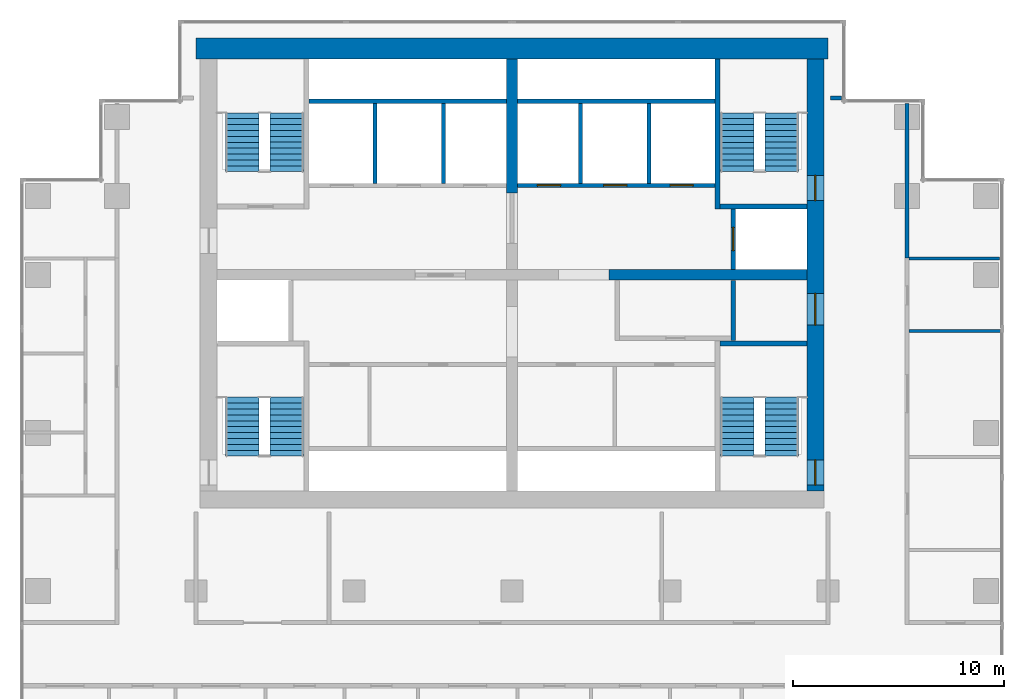
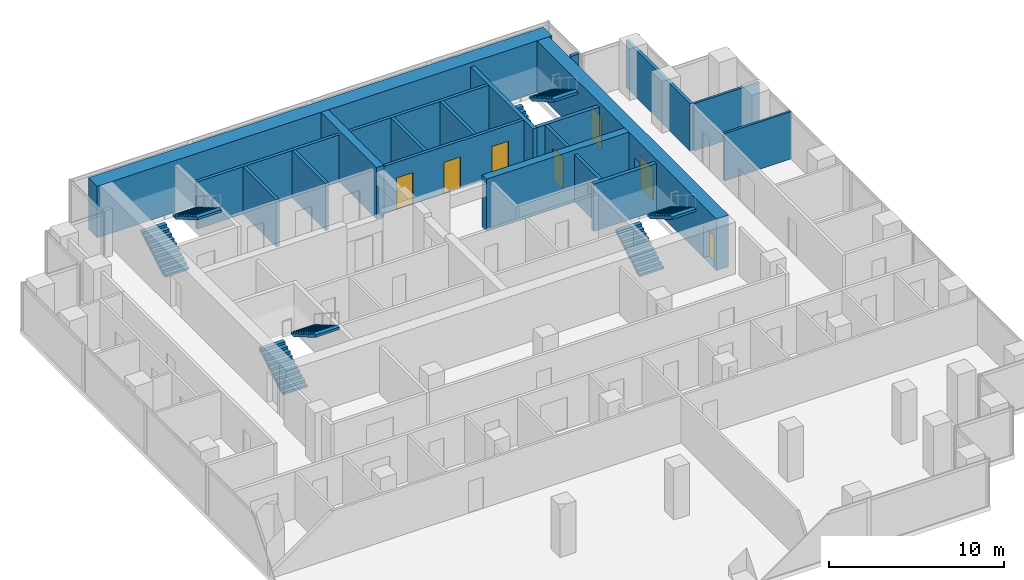
# One storey, part 9 of 10: 20 walls, 8 stair flights, 7 doors, 7 openings, 4 elements without a shape of their own.
"""IFC4 building model written with IfcOpenShell, lengths in metres."""

from ifc_helpers import new_model, si_unit, direction, frame, frame_2d, origin, place, context, subcontext, project, spatial, polyline, rectangle, outline, extrude, material, layer, layer_set, type_object, element, fill, aggregate, save


model = new_model("IFC4")

# Units and contexts
model_context = context("Model", 3, precision=1e-05, world=origin(), true_north=direction((0.0, 1.0)))
body_context = subcontext(model_context, "Body", "Model", "MODEL_VIEW")
ifc_project = project(units=[si_unit("LENGTHUNIT", "METRE"), si_unit("AREAUNIT", "SQUARE_METRE"), si_unit("VOLUMEUNIT", "CUBIC_METRE"), si_unit("PLANEANGLEUNIT", "RADIAN"), si_unit("MASSUNIT", "GRAM", prefix="KILO")], contexts=[model_context])

# Site, building, storey
site_placement = place(None, origin())
site = spatial("IfcSite", under=ifc_project, at=site_placement, CompositionType="ELEMENT")
building_placement = place(site_placement, origin())
building = spatial("IfcBuilding", under=site, at=building_placement, Name="Pilkhan Gate Tower", CompositionType="ELEMENT")
storey_placement = place(building_placement, frame((0.0, 0.0, 169.300048828125)))
storey = spatial("IfcBuildingStorey", under=building, at=storey_placement, Name="L43", CompositionType="ELEMENT", Elevation=169.300048828125)

# Wall
ifc_material_1 = material(Name="Concrete C60/75", Category="concrete")
ifc_layer_1 = layer(ifc_material_1, 1.0)
ifc_layer_set_1 = layer_set([ifc_layer_1], Name="Core wall CW1000 C60/75")
wall_type_1 = type_object("IfcWallType", Name="Core wall CW1000 C60/75", PredefinedType="SHEAR", material=ifc_layer_set_1)
wall_1_placement = place(storey_placement, frame((90.0, 93.25, 0.0), z_axis=(0.0, 0.0, 1.0), x_axis=(-1.0, 0.0, 0.0)))
element("IfcWall", 1, at=wall_1_placement, inside=storey, type_object=wall_type_1, Name="Core wall N L43", PredefinedType="SHEAR", context=body_context, shape_type="SweptSolid", body=[
    extrude(rectangle(XDim=30.0, YDim=1.0, at=frame_2d((15.0, 0.0))), origin(), (0.0, 0.0, 1.0), 3.599853515625),
])

# Wall, openings, doors
ifc_layer_2 = layer(ifc_material_1, 0.800048828125)
ifc_layer_set_2 = layer_set([ifc_layer_2], Name="Core wall CW800 C60/75")
wall_type_2 = type_object("IfcWallType", Name="Core wall CW800 C60/75", PredefinedType="SHEAR", material=ifc_layer_set_2)
wall_2_placement = place(storey_placement, frame((89.39990234375, 72.25, 0.0), z_axis=(0.0, 0.0, 1.0), x_axis=(0.0, 1.0, 0.0)))
wall_2 = element("IfcWall", 2, at=wall_2_placement, inside=storey, type_object=wall_type_2, Name="Core wall E L43", PredefinedType="SHEAR", context=body_context, shape_type="SweptSolid", body=[
    extrude(rectangle(XDim=20.5, YDim=0.800048828125, at=frame_2d((10.25, 0.0))), origin(), (0.0, 0.0, 1.0), 3.599853515625),
])
opening_1_placement = place(wall_2_placement, frame((0.27490234375, 0.0, 0.0)))
opening_1 = element("IfcOpeningElement", 3, at=opening_1_placement, cuts=wall_2, Name="Opening L43-03", PredefinedType="OPENING", context=body_context, shape_type="SweptSolid", body=[
    extrude(rectangle(XDim=1.199951171875, YDim=2.199951171875, at=frame_2d((0.60009765625, 1.10009765625))), frame((0.0, 0.409912109375, 0.0), z_axis=(0.0, -1.0, 0.0), x_axis=(1.0, 0.0, 0.0)), (0.0, 0.0, 1.0), 0.820068359375),
])
opening_2_placement = place(wall_2_placement, frame((13.77490234375, 0.0, 0.0)))
opening_2 = element("IfcOpeningElement", 4, at=opening_2_placement, cuts=wall_2, Name="Opening L43-05", PredefinedType="OPENING", context=body_context, shape_type="SweptSolid", body=[
    extrude(rectangle(XDim=1.199951171875, YDim=2.199951171875, at=frame_2d((0.60009765625, 1.10009765625))), frame((0.0, 0.409912109375, 0.0), z_axis=(0.0, -1.0, 0.0), x_axis=(1.0, 0.0, 0.0)), (0.0, 0.0, 1.0), 0.820068359375),
])
opening_3_placement = place(wall_2_placement, frame((7.875, 0.0, 0.0)))
opening_3 = element("IfcOpeningElement", 5, at=opening_3_placement, cuts=wall_2, Name="Opening L43-11", PredefinedType="OPENING", context=body_context, shape_type="SweptSolid", body=[
    extrude(rectangle(XDim=1.5, YDim=2.199951171875, at=frame_2d((0.75, 1.10009765625))), frame((0.0, 0.409912109375, 0.0), z_axis=(0.0, -1.0, 0.0), x_axis=(1.0, 0.0, 0.0)), (0.0, 0.0, 1.0), 0.820068359375),
])
ifc_material_2 = material(Name="Steel framed glazed door, 60 minute fire resisting", Category="steel")
door_type_1 = type_object("IfcDoorType", Name="Lobby door D09 1500x2200", OperationType="DOUBLE_DOOR_SINGLE_SWING", PredefinedType="DOOR", material=ifc_material_2)
door_1_placement = place(opening_3_placement, origin())
door_1 = element("IfcDoor", 6, at=door_1_placement, inside=storey, type_object=door_type_1, Name="Core door", OperationType="DOUBLE_DOOR_SINGLE_SWING", OverallHeight=2.199951171875, OverallWidth=1.5, PredefinedType="DOOR", context=body_context, shape_type="SweptSolid", body=[
    extrude(rectangle(XDim=1.5, YDim=2.199951171875, at=frame_2d((0.75, 1.10009765625))), frame((0.0, 0.02490234375, 0.0), z_axis=(0.0, -1.0, 0.0), x_axis=(1.0, 0.0, 0.0)), (0.0, 0.0, 1.0), 0.050048828125),
])
fill(opening_3, door_1)
ifc_material_3 = material(Name="Steel door, 120 minute fire resisting, panic bar", Category="steel")
door_type_2 = type_object("IfcDoorType", Name="Stair door D11 1200x2200", OperationType="SINGLE_SWING_LEFT", PredefinedType="DOOR", material=ifc_material_3)
door_2_placement = place(opening_1_placement, origin())
door_2 = element("IfcDoor", 7, at=door_2_placement, inside=storey, type_object=door_type_2, Name="Stair ST1 door", OperationType="SINGLE_SWING_LEFT", OverallHeight=2.199951171875, OverallWidth=1.199951171875, PredefinedType="DOOR", context=body_context, shape_type="SweptSolid", body=[
    extrude(rectangle(XDim=1.199951171875, YDim=2.199951171875, at=frame_2d((0.60009765625, 1.10009765625))), frame((0.0, 0.02490234375, 0.0), z_axis=(0.0, -1.0, 0.0), x_axis=(1.0, 0.0, 0.0)), (0.0, 0.0, 1.0), 0.050048828125),
])
fill(opening_1, door_2)
door_3_placement = place(opening_2_placement, origin())
door_3 = element("IfcDoor", 8, at=door_3_placement, inside=storey, type_object=door_type_2, Name="Stair ST4 door", OperationType="SINGLE_SWING_LEFT", OverallHeight=2.199951171875, OverallWidth=1.199951171875, PredefinedType="DOOR", context=body_context, shape_type="SweptSolid", body=[
    extrude(rectangle(XDim=1.199951171875, YDim=2.199951171875, at=frame_2d((0.60009765625, 1.10009765625))), frame((0.0, 0.02490234375, 0.0), z_axis=(0.0, -1.0, 0.0), x_axis=(1.0, 0.0, 0.0)), (0.0, 0.0, 1.0), 0.050048828125),
])
fill(opening_2, door_3)

# Walls
ifc_material_4 = material(Name="Dense blockwork", Category="masonry")
ifc_layer_3 = layer(ifc_material_4, 0.199951171875)
ifc_layer_set_3 = layer_set([ifc_layer_3], Name="Corridor wall FW200")
wall_type_3 = type_object("IfcWallType", Name="Corridor wall FW200", PredefinedType="PARTITIONING", material=ifc_layer_set_3)
wall_3_placement = place(storey_placement, frame((90.1201171875, 90.89990234375, 0.0), z_axis=(0.0, 0.0, 1.0), x_axis=(1.0, 0.0, 0.0)))
element("IfcWall", 9, at=wall_3_placement, inside=storey, type_object=wall_type_3, Name="Partition L43", PredefinedType="PARTITIONING", context=body_context, shape_type="SweptSolid", body=[
    extrude(rectangle(XDim=0.52490234375, YDim=0.199951171875, at=frame_2d((0.262451171875, 0.0))), origin(), (0.0, 0.0, 1.0), 3.300048828125),
])
wall_4_placement = place(storey_placement, frame((93.75, 83.31005859375, 0.0), z_axis=(0.0, 0.0, 1.0), x_axis=(0.0, 1.0, 0.0)))
element("IfcWall", 10, at=wall_4_placement, inside=storey, type_object=wall_type_3, Name="Partition L43", PredefinedType="PARTITIONING", context=body_context, shape_type="SweptSolid", body=[
    extrude(rectangle(XDim=7.3349609375, YDim=0.199951171875, at=frame_2d((3.66748046875, 0.0))), origin(), (0.0, 0.0, 1.0), 3.300048828125),
])
ifc_layer_4 = layer(ifc_material_4, 0.199951171875)
ifc_layer_set_4 = layer_set([ifc_layer_4], Name="Lobby wall LW200")
wall_type_4 = type_object("IfcWallType", Name="Lobby wall LW200", PredefinedType="PARTITIONING", material=ifc_layer_set_4)
wall_5_placement = place(storey_placement, frame((85.5, 79.39990234375, 0.0), z_axis=(0.0, 0.0, 1.0), x_axis=(0.0, 1.0, 0.0)))
element("IfcWall", 11, at=wall_5_placement, inside=storey, type_object=wall_type_4, Name="Partition L43", PredefinedType="PARTITIONING", context=body_context, shape_type="SweptSolid", body=[
    extrude(rectangle(XDim=2.840087890625, YDim=0.199951171875, at=frame_2d((1.419921875, 0.0))), origin(), (0.0, 0.0, 1.0), 3.300048828125),
])
ifc_material_5 = material(Name="Blockwork partition, plastered both sides", Category="masonry")
ifc_layer_5 = layer(ifc_material_5, 0.14990234375)
ifc_layer_set_5 = layer_set([ifc_layer_5], Name="Partition PW150")
wall_type_5 = type_object("IfcWallType", Name="Partition PW150", PredefinedType="PARTITIONING", material=ifc_layer_set_5)
wall_6_placement = place(storey_placement, frame((93.85009765625, 79.8330078125, 0.0), z_axis=(0.0, 0.0, 1.0), x_axis=(1.0, 0.0, 0.0)))
element("IfcWall", 12, at=wall_6_placement, inside=storey, type_object=wall_type_5, Name="Partition L43", PredefinedType="PARTITIONING", context=body_context, shape_type="SweptSolid", body=[
    extrude(rectangle(XDim=4.414794921875, YDim=0.14990234375, at=frame_2d((2.20751953125, 0.0))), origin(), (0.0, 0.0, 1.0), 3.300048828125),
])
wall_7_placement = place(storey_placement, frame((93.85009765625, 83.280029296875, 0.0), z_axis=(0.0, 0.0, 1.0), x_axis=(1.0, 0.0, 0.0)))
element("IfcWall", 13, at=wall_7_placement, inside=storey, type_object=wall_type_5, Name="Partition L43", PredefinedType="PARTITIONING", context=body_context, shape_type="SweptSolid", body=[
    extrude(rectangle(XDim=4.294921875, YDim=0.14990234375, at=frame_2d((2.1474609375, 0.0))), origin(), (0.0, 0.0, 1.0), 3.300048828125),
])

# Wall, openings, doors
ifc_material_6 = material(Name="Reinforced blockwork shaft wall, 120 minute fire resisting", Category="masonry")
ifc_layer_6 = layer(ifc_material_6, 0.199951171875)
ifc_layer_set_6 = layer_set([ifc_layer_6], Name="Shaft wall SW200")
wall_type_6 = type_object("IfcWallType", Name="Shaft wall SW200", PredefinedType="PARTITIONING", material=ifc_layer_set_6)
wall_8_placement = place(storey_placement, frame((75.260009765625, 86.75, 0.0), z_axis=(0.0, 0.0, 1.0), x_axis=(1.0, 0.0, 0.0)))
wall_8 = element("IfcWall", 14, at=wall_8_placement, inside=storey, type_object=wall_type_6, Name="Partition L43", PredefinedType="PARTITIONING", context=body_context, shape_type="SweptSolid", body=[
    extrude(rectangle(XDim=9.364990234375, YDim=0.199951171875, at=frame_2d((4.6826171875, 0.0))), origin(), (0.0, 0.0, 1.0), 3.300048828125),
])
opening_4_placement = place(wall_8_placement, frame((0.949951171875, 0.0, 0.0)))
opening_4 = element("IfcOpeningElement", 15, at=opening_4_placement, cuts=wall_8, Name="Opening LD", PredefinedType="OPENING", context=body_context, shape_type="SweptSolid", body=[
    extrude(rectangle(XDim=1.10009765625, YDim=2.199951171875, at=frame_2d((0.550048828125, 1.10009765625))), frame((0.0, 0.10986328125, 0.0), z_axis=(0.0, -1.0, 0.0), x_axis=(1.0, 0.0, 0.0)), (0.0, 0.0, 1.0), 0.219970703125),
])
opening_5_placement = place(wall_8_placement, frame((4.090087890625, 0.0, 0.0)))
opening_5 = element("IfcOpeningElement", 16, at=opening_5_placement, cuts=wall_8, Name="Opening LD", PredefinedType="OPENING", context=body_context, shape_type="SweptSolid", body=[
    extrude(rectangle(XDim=1.10009765625, YDim=2.199951171875, at=frame_2d((0.550048828125, 1.10009765625))), frame((0.0, 0.10986328125, 0.0), z_axis=(0.0, -1.0, 0.0), x_axis=(1.0, 0.0, 0.0)), (0.0, 0.0, 1.0), 0.219970703125),
])
opening_6_placement = place(wall_8_placement, frame((7.239990234375, 0.0, 0.0)))
opening_6 = element("IfcOpeningElement", 17, at=opening_6_placement, cuts=wall_8, Name="Opening LD", PredefinedType="OPENING", context=body_context, shape_type="SweptSolid", body=[
    extrude(rectangle(XDim=1.10009765625, YDim=2.199951171875, at=frame_2d((0.550048828125, 1.10009765625))), frame((0.0, 0.10986328125, 0.0), z_axis=(0.0, -1.0, 0.0), x_axis=(1.0, 0.0, 0.0)), (0.0, 0.0, 1.0), 0.219970703125),
])
ifc_material_7 = material(Name="Stainless steel centre-opening landing door, 120 minute fire resisting", Category="steel")
door_type_3 = type_object("IfcDoorType", Name="Lift landing door LD 1100x2200", OperationType="DOUBLE_DOOR_SLIDING", PredefinedType="DOOR", material=ifc_material_7)
door_4_placement = place(opening_4_placement, origin())
door_4 = element("IfcDoor", 18, at=door_4_placement, inside=storey, type_object=door_type_3, Name="Landing door HR1", OperationType="DOUBLE_DOOR_SLIDING", OverallHeight=2.199951171875, OverallWidth=1.10009765625, PredefinedType="DOOR", context=body_context, shape_type="SweptSolid", body=[
    extrude(rectangle(XDim=1.10009765625, YDim=2.199951171875, at=frame_2d((0.550048828125, 1.10009765625))), frame((0.0, 0.02490234375, 0.0), z_axis=(0.0, -1.0, 0.0), x_axis=(1.0, 0.0, 0.0)), (0.0, 0.0, 1.0), 0.050048828125),
])
fill(opening_4, door_4)
door_5_placement = place(opening_5_placement, origin())
door_5 = element("IfcDoor", 19, at=door_5_placement, inside=storey, type_object=door_type_3, Name="Landing door HR2", OperationType="DOUBLE_DOOR_SLIDING", OverallHeight=2.199951171875, OverallWidth=1.10009765625, PredefinedType="DOOR", context=body_context, shape_type="SweptSolid", body=[
    extrude(rectangle(XDim=1.10009765625, YDim=2.199951171875, at=frame_2d((0.550048828125, 1.10009765625))), frame((0.0, 0.02490234375, 0.0), z_axis=(0.0, -1.0, 0.0), x_axis=(1.0, 0.0, 0.0)), (0.0, 0.0, 1.0), 0.050048828125),
])
fill(opening_5, door_5)
door_6_placement = place(opening_6_placement, origin())
door_6 = element("IfcDoor", 20, at=door_6_placement, inside=storey, type_object=door_type_3, Name="Landing door HR3", OperationType="DOUBLE_DOOR_SLIDING", OverallHeight=2.199951171875, OverallWidth=1.10009765625, PredefinedType="DOOR", context=body_context, shape_type="SweptSolid", body=[
    extrude(rectangle(XDim=1.10009765625, YDim=2.199951171875, at=frame_2d((0.550048828125, 1.10009765625))), frame((0.0, 0.02490234375, 0.0), z_axis=(0.0, -1.0, 0.0), x_axis=(1.0, 0.0, 0.0)), (0.0, 0.0, 1.0), 0.050048828125),
])
fill(opening_6, door_6)

# Walls
for number, where, z_axis, x_axis, name in (
    (21, (65.375, 90.75, 0.0), (0.0, 0.0, 1.0), (1.0, 0.0, 0.0), "Partition L43"),
    (22, (75.260009765625, 90.75, 0.0), (0.0, 0.0, 1.0), (1.0, 0.0, 0.0), "Partition L43"),
):
    element("IfcWall", number, at=place(storey_placement, frame(where, z_axis=z_axis, x_axis=x_axis)), inside=storey, type_object=wall_type_6, Name=name, PredefinedType="PARTITIONING", context=body_context, shape_type="SweptSolid", body=[
        extrude(rectangle(XDim=9.364990234375, YDim=0.199951171875, at=frame_2d((4.6826171875, 0.0))), origin(), (0.0, 0.0, 1.0), 3.300048828125),
    ])
for number, where, z_axis, x_axis, name in (
    (23, (68.5, 86.85009765625, 0.0), (0.0, 0.0, 1.0), (0.0, 1.0, 0.0), "Partition L43"),
    (24, (71.75, 86.85009765625, 0.0), (0.0, 0.0, 1.0), (0.0, 1.0, 0.0), "Partition L43"),
    (25, (78.25, 86.85009765625, 0.0), (0.0, 0.0, 1.0), (0.0, 1.0, 0.0), "Partition L43"),
    (26, (81.5, 86.85009765625, 0.0), (0.0, 0.0, 1.0), (0.0, 1.0, 0.0), "Partition L43"),
):
    element("IfcWall", number, at=place(storey_placement, frame(where, z_axis=z_axis, x_axis=x_axis)), inside=storey, type_object=wall_type_6, Name=name, PredefinedType="PARTITIONING", context=body_context, shape_type="SweptSolid", body=[
        extrude(rectangle(XDim=3.7998046875, YDim=0.199951171875, at=frame_2d((1.89990234375, 0.0))), origin(), (0.0, 0.0, 1.0), 3.300048828125),
    ])

# Wall, opening, door
wall_9_placement = place(storey_placement, frame((85.5, 82.760009765625, 0.0), z_axis=(0.0, 0.0, 1.0), x_axis=(0.0, 1.0, 0.0)))
wall_9 = element("IfcWall", 27, at=wall_9_placement, inside=storey, type_object=wall_type_6, Name="Partition L43", PredefinedType="PARTITIONING", context=body_context, shape_type="SweptSolid", body=[
    extrude(rectangle(XDim=2.864990234375, YDim=0.199951171875, at=frame_2d((1.4326171875, 0.0))), origin(), (0.0, 0.0, 1.0), 3.300048828125),
])
opening_7_placement = place(wall_9_placement, frame((0.89990234375, 0.0, 0.0)))
opening_7 = element("IfcOpeningElement", 28, at=opening_7_placement, cuts=wall_9, Name="Opening LD", PredefinedType="OPENING", context=body_context, shape_type="SweptSolid", body=[
    extrude(rectangle(XDim=1.10009765625, YDim=2.199951171875, at=frame_2d((0.550048828125, 1.10009765625))), frame((0.0, 0.10986328125, 0.0), z_axis=(0.0, -1.0, 0.0), x_axis=(1.0, 0.0, 0.0)), (0.0, 0.0, 1.0), 0.219970703125),
])
door_7_placement = place(opening_7_placement, origin())
door_7 = element("IfcDoor", 29, at=door_7_placement, inside=storey, type_object=door_type_3, Name="Landing door HR4", OperationType="DOUBLE_DOOR_SLIDING", OverallHeight=2.199951171875, OverallWidth=1.10009765625, PredefinedType="DOOR", context=body_context, shape_type="SweptSolid", body=[
    extrude(rectangle(XDim=1.10009765625, YDim=2.199951171875, at=frame_2d((0.550048828125, 1.10009765625))), frame((0.0, 0.02490234375, 0.0), z_axis=(0.0, -1.0, 0.0), x_axis=(1.0, 0.0, 0.0)), (0.0, 0.0, 1.0), 0.050048828125),
])
fill(opening_7, door_7)

# Walls
ifc_layer_7 = layer(ifc_material_1, 0.5)
ifc_layer_set_7 = layer_set([ifc_layer_7], Name="Spine wall SW500 C60/75")
wall_type_7 = type_object("IfcWallType", Name="Spine wall SW500 C60/75", PredefinedType="SHEAR", material=ifc_layer_set_7)
wall_10_placement = place(storey_placement, frame((79.60009765625, 82.5, 0.0), z_axis=(0.0, 0.0, 1.0), x_axis=(1.0, 0.0, 0.0)))
element("IfcWall", 30, at=wall_10_placement, inside=storey, type_object=wall_type_7, Name="Spine wall SP-EW3 L43", PredefinedType="SHEAR", context=body_context, shape_type="SweptSolid", body=[
    extrude(rectangle(XDim=9.39990234375, YDim=0.5, at=frame_2d((4.699951171875, 0.0))), origin(), (0.0, 0.0, 1.0), 3.599853515625),
])
wall_11_placement = place(storey_placement, frame((75.0, 86.39990234375, 0.0), z_axis=(0.0, 0.0, 1.0), x_axis=(0.0, 1.0, 0.0)))
element("IfcWall", 31, at=wall_11_placement, inside=storey, type_object=wall_type_7, Name="Spine wall SP-NS-N2 L43", PredefinedType="SHEAR", context=body_context, shape_type="SweptSolid", body=[
    extrude(rectangle(XDim=6.35009765625, YDim=0.5, at=frame_2d((3.175048828125, 0.0))), origin(), (0.0, 0.0, 1.0), 3.599853515625),
])
ifc_material_8 = material(Name="Reinforced blockwork, 120 minute fire resisting", Category="masonry")
ifc_layer_8 = layer(ifc_material_8, 0.25)
ifc_layer_set_8 = layer_set([ifc_layer_8], Name="Stair enclosure wall SE250")
wall_type_8 = type_object("IfcWallType", Name="Stair enclosure wall SE250", PredefinedType="PARTITIONING", material=ifc_layer_set_8)
for number, where, z_axis, x_axis, name in (
    (32, (84.875, 79.25, 0.0), (0.0, 0.0, 1.0), (1.0, 0.0, 0.0), "Partition L43"),
    (33, (84.875, 85.75, 0.0), (0.0, 0.0, 1.0), (1.0, 0.0, 0.0), "Partition L43"),
):
    element("IfcWall", number, at=place(storey_placement, frame(where, z_axis=z_axis, x_axis=x_axis)), inside=storey, type_object=wall_type_8, Name=name, PredefinedType="PARTITIONING", context=body_context, shape_type="SweptSolid", body=[
        extrude(rectangle(XDim=4.125, YDim=0.25, at=frame_2d((2.0625, 0.0))), origin(), (0.0, 0.0, 1.0), 3.300048828125),
    ])
wall_12_placement = place(storey_placement, frame((84.75, 85.625, 0.0), z_axis=(0.0, 0.0, 1.0), x_axis=(0.0, 1.0, 0.0)))
element("IfcWall", 34, at=wall_12_placement, inside=storey, type_object=wall_type_8, Name="Partition L43", PredefinedType="PARTITIONING", context=body_context, shape_type="SweptSolid", body=[
    extrude(rectangle(XDim=7.114990234375, YDim=0.25, at=frame_2d((3.5576171875, 0.0))), origin(), (0.0, 0.0, 1.0), 3.300048828125),
])

# Stair, stair flights
ifc_material_9 = material(Name="Concrete C40/50 precast", Category="concrete")
stair_type_1 = type_object("IfcStairType", Name="Stair ST1 164x280", PredefinedType="HALF_TURN_STAIR", material=ifc_material_9)
stair_1_placement = place(storey_placement, origin())
stair_1 = element("IfcStair", 35, at=stair_1_placement, inside=storey, type_object=stair_type_1, Name="Stair ST1 L43", PredefinedType="HALF_TURN_STAIR")
stair_flight_type_1 = type_object("IfcStairFlightType", Name="Stair flight ST1 164x280x11", PredefinedType="STRAIGHT", material=ifc_material_9)
stair_flight_1_placement = place(storey_placement, frame((85.68994140625, 73.89990234375, 0.0), z_axis=(0.0, 0.0, 1.0), x_axis=(0.0, 1.0, 0.0)))
stair_flight_1 = element("IfcStairFlight", 36, at=stair_flight_1_placement, type_object=stair_flight_type_1, Name="ST1 flight 1", NumberOfRisers=11, NumberOfTreads=10, PredefinedType="STRAIGHT", RiserHeight=0.163636364, TreadLength=0.28, context=body_context, shape_type="SweptSolid", body=[
    extrude(outline(polyline([(0.0, 0.0), (0.0, 0.16357421875), (0.280029296875, 0.16357421875), (0.280029296875, 0.327392578125), (0.56005859375, 0.327392578125), (0.56005859375, 0.490966796875), (0.840087890625, 0.490966796875), (0.840087890625, 0.654541015625), (1.1201171875, 0.654541015625), (1.1201171875, 0.818115234375), (1.39990234375, 0.818115234375), (1.39990234375, 0.98193359375), (1.679931640625, 0.98193359375), (1.679931640625, 1.1455078125), (1.9599609375, 1.1455078125), (1.9599609375, 1.30908203125), (2.239990234375, 1.30908203125), (2.239990234375, 1.47265625), (2.52001953125, 1.47265625), (2.52001953125, 1.636474609375), (2.800048828125, 1.636474609375), (2.800048828125, 1.800048828125), (2.800048828125, 1.462646484375), (0.297119140625, 0.0), (0.0, 0.0)])), frame((0.0, 0.7900390625, 0.0), z_axis=(0.0, -1.0, 0.0), x_axis=(1.0, 0.0, 0.0)), (0.0, 0.0, 1.0), 1.580078125),
])
stair_flight_2_placement = place(storey_placement, frame((87.81005859375, 76.699951171875, 1.800048828125), z_axis=(0.0, 0.0, 1.0), x_axis=(0.0, -1.0, 0.0)))
stair_flight_2 = element("IfcStairFlight", 37, at=stair_flight_2_placement, type_object=stair_flight_type_1, Name="ST1 flight 2", NumberOfRisers=11, NumberOfTreads=10, PredefinedType="STRAIGHT", RiserHeight=0.163636364, TreadLength=0.28, context=body_context, shape_type="SweptSolid", body=[
    extrude(outline(polyline([(0.0, 0.0), (0.0, 0.16357421875), (0.280029296875, 0.16357421875), (0.280029296875, 0.327392578125), (0.56005859375, 0.327392578125), (0.56005859375, 0.490966796875), (0.840087890625, 0.490966796875), (0.840087890625, 0.654541015625), (1.1201171875, 0.654541015625), (1.1201171875, 0.818115234375), (1.39990234375, 0.818115234375), (1.39990234375, 0.98193359375), (1.679931640625, 0.98193359375), (1.679931640625, 1.1455078125), (1.9599609375, 1.1455078125), (1.9599609375, 1.30908203125), (2.239990234375, 1.30908203125), (2.239990234375, 1.47265625), (2.52001953125, 1.47265625), (2.52001953125, 1.636474609375), (2.800048828125, 1.636474609375), (2.800048828125, 1.800048828125), (2.800048828125, 1.462646484375), (0.297119140625, 0.0), (0.0, 0.0)])), frame((0.0, 0.7900390625, 0.0), z_axis=(0.0, -1.0, 0.0), x_axis=(1.0, 0.0, 0.0)), (0.0, 0.0, 1.0), 1.580078125),
])
aggregate(stair_1, [stair_flight_1, stair_flight_2])

stair_type_2 = type_object("IfcStairType", Name="Stair ST2 164x280", PredefinedType="HALF_TURN_STAIR", material=ifc_material_9)
stair_2_placement = place(storey_placement, origin())
stair_2 = element("IfcStair", 38, at=stair_2_placement, inside=storey, type_object=stair_type_2, Name="Stair ST2 L43", PredefinedType="HALF_TURN_STAIR")
stair_flight_type_2 = type_object("IfcStairFlightType", Name="Stair flight ST2 164x280x11", PredefinedType="STRAIGHT", material=ifc_material_9)
stair_flight_3_placement = place(storey_placement, frame((62.18994140625, 73.89990234375, 0.0), z_axis=(0.0, 0.0, 1.0), x_axis=(0.0, 1.0, 0.0)))
stair_flight_3 = element("IfcStairFlight", 39, at=stair_flight_3_placement, type_object=stair_flight_type_2, Name="ST2 flight 1", NumberOfRisers=11, NumberOfTreads=10, PredefinedType="STRAIGHT", RiserHeight=0.163636364, TreadLength=0.28, context=body_context, shape_type="SweptSolid", body=[
    extrude(outline(polyline([(0.0, 0.0), (0.0, 0.16357421875), (0.280029296875, 0.16357421875), (0.280029296875, 0.327392578125), (0.56005859375, 0.327392578125), (0.56005859375, 0.490966796875), (0.840087890625, 0.490966796875), (0.840087890625, 0.654541015625), (1.1201171875, 0.654541015625), (1.1201171875, 0.818115234375), (1.39990234375, 0.818115234375), (1.39990234375, 0.98193359375), (1.679931640625, 0.98193359375), (1.679931640625, 1.1455078125), (1.9599609375, 1.1455078125), (1.9599609375, 1.30908203125), (2.239990234375, 1.30908203125), (2.239990234375, 1.47265625), (2.52001953125, 1.47265625), (2.52001953125, 1.636474609375), (2.800048828125, 1.636474609375), (2.800048828125, 1.800048828125), (2.800048828125, 1.462646484375), (0.297119140625, 0.0), (0.0, 0.0)])), frame((0.0, 0.7900390625, 0.0), z_axis=(0.0, -1.0, 0.0), x_axis=(1.0, 0.0, 0.0)), (0.0, 0.0, 1.0), 1.580078125),
])
stair_flight_4_placement = place(storey_placement, frame((64.31005859375, 76.699951171875, 1.800048828125), z_axis=(0.0, 0.0, 1.0), x_axis=(0.0, -1.0, 0.0)))
stair_flight_4 = element("IfcStairFlight", 40, at=stair_flight_4_placement, type_object=stair_flight_type_2, Name="ST2 flight 2", NumberOfRisers=11, NumberOfTreads=10, PredefinedType="STRAIGHT", RiserHeight=0.163636364, TreadLength=0.28, context=body_context, shape_type="SweptSolid", body=[
    extrude(outline(polyline([(0.0, 0.0), (0.0, 0.16357421875), (0.280029296875, 0.16357421875), (0.280029296875, 0.327392578125), (0.56005859375, 0.327392578125), (0.56005859375, 0.490966796875), (0.840087890625, 0.490966796875), (0.840087890625, 0.654541015625), (1.1201171875, 0.654541015625), (1.1201171875, 0.818115234375), (1.39990234375, 0.818115234375), (1.39990234375, 0.98193359375), (1.679931640625, 0.98193359375), (1.679931640625, 1.1455078125), (1.9599609375, 1.1455078125), (1.9599609375, 1.30908203125), (2.239990234375, 1.30908203125), (2.239990234375, 1.47265625), (2.52001953125, 1.47265625), (2.52001953125, 1.636474609375), (2.800048828125, 1.636474609375), (2.800048828125, 1.800048828125), (2.800048828125, 1.462646484375), (0.297119140625, 0.0), (0.0, 0.0)])), frame((0.0, 0.7900390625, 0.0), z_axis=(0.0, -1.0, 0.0), x_axis=(1.0, 0.0, 0.0)), (0.0, 0.0, 1.0), 1.580078125),
])
aggregate(stair_2, [stair_flight_3, stair_flight_4])

stair_type_3 = type_object("IfcStairType", Name="Stair ST3 164x280", PredefinedType="HALF_TURN_STAIR", material=ifc_material_9)
stair_3_placement = place(storey_placement, origin())
stair_3 = element("IfcStair", 41, at=stair_3_placement, inside=storey, type_object=stair_type_3, Name="Stair ST3 L43", PredefinedType="HALF_TURN_STAIR")
stair_flight_type_3 = type_object("IfcStairFlightType", Name="Stair flight ST3 164x280x11", PredefinedType="STRAIGHT", material=ifc_material_9)
stair_flight_5_placement = place(storey_placement, frame((62.18994140625, 87.39990234375, 0.0), z_axis=(0.0, 0.0, 1.0), x_axis=(0.0, 1.0, 0.0)))
stair_flight_5 = element("IfcStairFlight", 42, at=stair_flight_5_placement, type_object=stair_flight_type_3, Name="ST3 flight 1", NumberOfRisers=11, NumberOfTreads=10, PredefinedType="STRAIGHT", RiserHeight=0.163636364, TreadLength=0.28, context=body_context, shape_type="SweptSolid", body=[
    extrude(outline(polyline([(0.0, 0.0), (0.0, 0.16357421875), (0.280029296875, 0.16357421875), (0.280029296875, 0.327392578125), (0.56005859375, 0.327392578125), (0.56005859375, 0.490966796875), (0.840087890625, 0.490966796875), (0.840087890625, 0.654541015625), (1.1201171875, 0.654541015625), (1.1201171875, 0.818115234375), (1.39990234375, 0.818115234375), (1.39990234375, 0.98193359375), (1.679931640625, 0.98193359375), (1.679931640625, 1.1455078125), (1.9599609375, 1.1455078125), (1.9599609375, 1.30908203125), (2.239990234375, 1.30908203125), (2.239990234375, 1.47265625), (2.52001953125, 1.47265625), (2.52001953125, 1.636474609375), (2.800048828125, 1.636474609375), (2.800048828125, 1.800048828125), (2.800048828125, 1.462646484375), (0.297119140625, 0.0), (0.0, 0.0)])), frame((0.0, 0.7900390625, 0.0), z_axis=(0.0, -1.0, 0.0), x_axis=(1.0, 0.0, 0.0)), (0.0, 0.0, 1.0), 1.580078125),
])
stair_flight_6_placement = place(storey_placement, frame((64.31005859375, 90.199951171875, 1.800048828125), z_axis=(0.0, 0.0, 1.0), x_axis=(0.0, -1.0, 0.0)))
stair_flight_6 = element("IfcStairFlight", 43, at=stair_flight_6_placement, type_object=stair_flight_type_3, Name="ST3 flight 2", NumberOfRisers=11, NumberOfTreads=10, PredefinedType="STRAIGHT", RiserHeight=0.163636364, TreadLength=0.28, context=body_context, shape_type="SweptSolid", body=[
    extrude(outline(polyline([(0.0, 0.0), (0.0, 0.16357421875), (0.280029296875, 0.16357421875), (0.280029296875, 0.327392578125), (0.56005859375, 0.327392578125), (0.56005859375, 0.490966796875), (0.840087890625, 0.490966796875), (0.840087890625, 0.654541015625), (1.1201171875, 0.654541015625), (1.1201171875, 0.818115234375), (1.39990234375, 0.818115234375), (1.39990234375, 0.98193359375), (1.679931640625, 0.98193359375), (1.679931640625, 1.1455078125), (1.9599609375, 1.1455078125), (1.9599609375, 1.30908203125), (2.239990234375, 1.30908203125), (2.239990234375, 1.47265625), (2.52001953125, 1.47265625), (2.52001953125, 1.636474609375), (2.800048828125, 1.636474609375), (2.800048828125, 1.800048828125), (2.800048828125, 1.462646484375), (0.297119140625, 0.0), (0.0, 0.0)])), frame((0.0, 0.7900390625, 0.0), z_axis=(0.0, -1.0, 0.0), x_axis=(1.0, 0.0, 0.0)), (0.0, 0.0, 1.0), 1.580078125),
])
aggregate(stair_3, [stair_flight_5, stair_flight_6])

stair_type_4 = type_object("IfcStairType", Name="Stair ST4 164x280", PredefinedType="HALF_TURN_STAIR", material=ifc_material_9)
stair_4_placement = place(storey_placement, origin())
stair_4 = element("IfcStair", 44, at=stair_4_placement, inside=storey, type_object=stair_type_4, Name="Stair ST4 L43", PredefinedType="HALF_TURN_STAIR")
stair_flight_type_4 = type_object("IfcStairFlightType", Name="Stair flight ST4 164x280x11", PredefinedType="STRAIGHT", material=ifc_material_9)
stair_flight_7_placement = place(storey_placement, frame((85.68994140625, 87.39990234375, 0.0), z_axis=(0.0, 0.0, 1.0), x_axis=(0.0, 1.0, 0.0)))
stair_flight_7 = element("IfcStairFlight", 45, at=stair_flight_7_placement, type_object=stair_flight_type_4, Name="ST4 flight 1", NumberOfRisers=11, NumberOfTreads=10, PredefinedType="STRAIGHT", RiserHeight=0.163636364, TreadLength=0.28, context=body_context, shape_type="SweptSolid", body=[
    extrude(outline(polyline([(0.0, 0.0), (0.0, 0.16357421875), (0.280029296875, 0.16357421875), (0.280029296875, 0.327392578125), (0.56005859375, 0.327392578125), (0.56005859375, 0.490966796875), (0.840087890625, 0.490966796875), (0.840087890625, 0.654541015625), (1.1201171875, 0.654541015625), (1.1201171875, 0.818115234375), (1.39990234375, 0.818115234375), (1.39990234375, 0.98193359375), (1.679931640625, 0.98193359375), (1.679931640625, 1.1455078125), (1.9599609375, 1.1455078125), (1.9599609375, 1.30908203125), (2.239990234375, 1.30908203125), (2.239990234375, 1.47265625), (2.52001953125, 1.47265625), (2.52001953125, 1.636474609375), (2.800048828125, 1.636474609375), (2.800048828125, 1.800048828125), (2.800048828125, 1.462646484375), (0.297119140625, 0.0), (0.0, 0.0)])), frame((0.0, 0.7900390625, 0.0), z_axis=(0.0, -1.0, 0.0), x_axis=(1.0, 0.0, 0.0)), (0.0, 0.0, 1.0), 1.580078125),
])
stair_flight_8_placement = place(storey_placement, frame((87.81005859375, 90.199951171875, 1.800048828125), z_axis=(0.0, 0.0, 1.0), x_axis=(0.0, -1.0, 0.0)))
stair_flight_8 = element("IfcStairFlight", 46, at=stair_flight_8_placement, type_object=stair_flight_type_4, Name="ST4 flight 2", NumberOfRisers=11, NumberOfTreads=10, PredefinedType="STRAIGHT", RiserHeight=0.163636364, TreadLength=0.28, context=body_context, shape_type="SweptSolid", body=[
    extrude(outline(polyline([(0.0, 0.0), (0.0, 0.16357421875), (0.280029296875, 0.16357421875), (0.280029296875, 0.327392578125), (0.56005859375, 0.327392578125), (0.56005859375, 0.490966796875), (0.840087890625, 0.490966796875), (0.840087890625, 0.654541015625), (1.1201171875, 0.654541015625), (1.1201171875, 0.818115234375), (1.39990234375, 0.818115234375), (1.39990234375, 0.98193359375), (1.679931640625, 0.98193359375), (1.679931640625, 1.1455078125), (1.9599609375, 1.1455078125), (1.9599609375, 1.30908203125), (2.239990234375, 1.30908203125), (2.239990234375, 1.47265625), (2.52001953125, 1.47265625), (2.52001953125, 1.636474609375), (2.800048828125, 1.636474609375), (2.800048828125, 1.800048828125), (2.800048828125, 1.462646484375), (0.297119140625, 0.0), (0.0, 0.0)])), frame((0.0, 0.7900390625, 0.0), z_axis=(0.0, -1.0, 0.0), x_axis=(1.0, 0.0, 0.0)), (0.0, 0.0, 1.0), 1.580078125),
])
aggregate(stair_4, [stair_flight_7, stair_flight_8])

save(model, "model.ifc")
